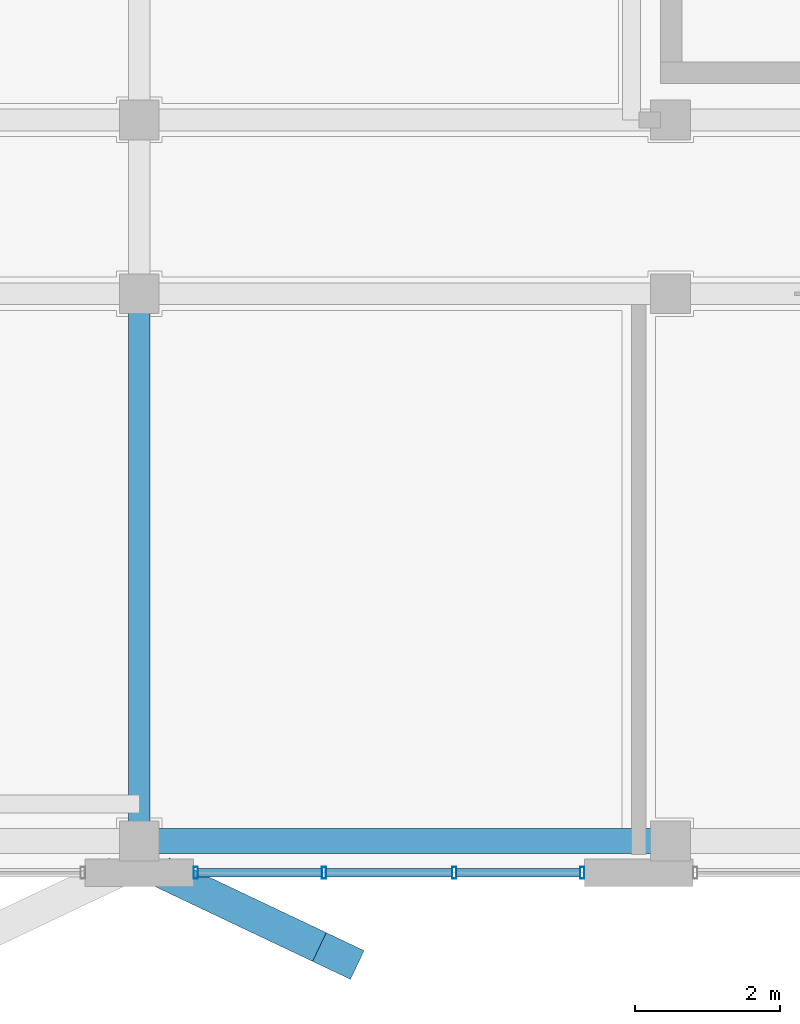
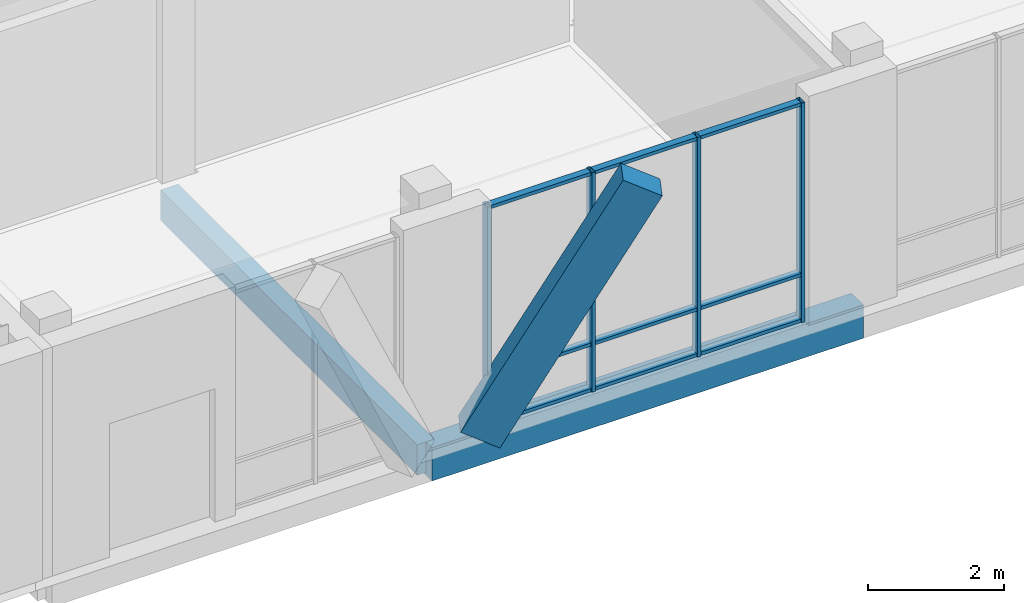
# One storey, part 73 of 233: 14 members, 2 beams, 1 element without a shape of its own.
"""IFC4 building model written with IfcOpenShell, lengths in metres."""

from ifc_helpers import new_model, si_unit, direction, frame, origin, origin_2d, place, context, subcontext, project, spatial, rectangle, hollow_rectangle, extrude, material, material_profile, profile_set, type_object, element, aggregate, save


model = new_model("IFC4")

# Units and contexts
model_context = context("Model", 3, precision=1e-05, world=origin(), true_north=direction((0.0, 1.0)))
body_context = subcontext(model_context, "Body", "Model", "MODEL_VIEW")
ifc_project = project(units=[si_unit("LENGTHUNIT", "METRE"), si_unit("AREAUNIT", "SQUARE_METRE"), si_unit("VOLUMEUNIT", "CUBIC_METRE"), si_unit("PLANEANGLEUNIT", "RADIAN"), si_unit("MASSUNIT", "GRAM", prefix="KILO")], contexts=[model_context])

# Site, building, storey
site_placement = place(None, origin())
site = spatial("IfcSite", under=ifc_project, at=site_placement, CompositionType="ELEMENT")
building_placement = place(site_placement, origin())
building = spatial("IfcBuilding", under=site, at=building_placement, Name="Zavelmont Quarter", CompositionType="ELEMENT")
storey_placement = place(building_placement, origin())
storey = spatial("IfcBuildingStorey", under=building, at=storey_placement, Name="L00", CompositionType="ELEMENT", Elevation=0.0)

# Beams
ifc_material_1 = material(Name="Concrete C35/45", Category="concrete")
ifc_material_profile_1 = material_profile(ifc_material_1, rectangle(XDim=0.35009765625, YDim=0.60009765625, at=origin_2d()), Name="RC350X600")
ifc_profile_set_1 = profile_set([ifc_material_profile_1], Name="Concrete C35/45")
beam_type_1 = type_object("IfcBeamType", Name="BM01", PredefinedType="SPANDREL", material=ifc_profile_set_1)
beam_1_placement = place(storey_placement, frame((119.699951171875, 0.43994140625, -0.6201171875), z_axis=(1.0, 0.0, 0.0), x_axis=(0.0, 1.0, 0.0)))
element("IfcBeam", 1, at=beam_1_placement, inside=storey, type_object=beam_type_1, Name="L00 beam BM01 18/A to 19/A", PredefinedType="SPANDREL", context=body_context, shape_type="SweptSolid", body=[
    extrude(rectangle(XDim=0.35009765625, YDim=0.60009765625, at=origin_2d()), origin(), (0.0, 0.0, 1.0), 7.340087890625),
])
ifc_material_profile_2 = material_profile(ifc_material_1, rectangle(XDim=0.300048828125, YDim=0.550048828125, at=origin_2d()), Name="RC300X550")
ifc_profile_set_2 = profile_set([ifc_material_profile_2], Name="Concrete C35/45")
beam_type_2 = type_object("IfcBeamType", Name="BM02", PredefinedType="SPANDREL", material=ifc_profile_set_2)
beam_2_placement = place(storey_placement, frame((119.699951171875, 0.43994140625, -0.594970703125), z_axis=(0.0, 1.0, 0.0), x_axis=(-1.0, 0.0, 0.0)))
element("IfcBeam", 2, at=beam_2_placement, inside=storey, type_object=beam_type_2, Name="L00 beam BM02 18/A to 18/B", PredefinedType="SPANDREL", context=body_context, shape_type="SweptSolid", body=[
    extrude(rectangle(XDim=0.300048828125, YDim=0.550048828125, at=origin_2d()), origin(), (0.0, 0.0, 1.0), 7.56005859375),
])

# Curtain wall, members
ifc_material_2 = material(Name="Thermally broken aluminium and double low-E safety glazing", Category="aluminium")
curtain_wall_type = type_object("IfcCurtainWallType", Name="CW-540X395", PredefinedType="NOTDEFINED", material=ifc_material_2)
curtain_wall_placement = place(storey_placement, origin())
curtain_wall = element("IfcCurtainWall", 3, at=curtain_wall_placement, inside=storey, type_object=curtain_wall_type, Name="L00 unitised curtain wall CW-540X395", PredefinedType="NOTDEFINED")
ifc_material_3 = material(Name="Powder-coated aluminium EN AW-6063-T6", Category="aluminium")
ifc_material_profile_3 = material_profile(ifc_material_3, hollow_rectangle(XDim=0.06005859375, YDim=0.159912109375, WallThickness=0.00390625, at=origin_2d()), Name="CWM60X160")
ifc_profile_set_3 = profile_set([ifc_material_profile_3], Name="Powder-coated aluminium EN AW-6063-T6")
member_type_1 = type_object("IfcMemberType", Name="CWM01", PredefinedType="MULLION", material=ifc_profile_set_3)
member_1_placement = place(storey_placement, frame((120.47998046875, 0.0, 0.0), z_axis=(0.0, 0.0, 1.0), x_axis=(1.0, 0.0, 0.0)))
member_1 = element("IfcMember", 4, at=member_1_placement, type_object=member_type_1, Name="CW-540X395 mullion 1", PredefinedType="MULLION", context=body_context, shape_type="SweptSolid", body=[
    extrude(hollow_rectangle(XDim=0.06005859375, YDim=0.159912109375, WallThickness=0.00390625, at=origin_2d()), origin(), (0.0, 0.0, 1.0), 3.949951171875),
])
member_2_placement = place(storey_placement, frame((122.25, 0.0, 0.0), z_axis=(0.0, 0.0, 1.0), x_axis=(1.0, 0.0, 0.0)))
member_2 = element("IfcMember", 5, at=member_2_placement, type_object=member_type_1, Name="CW-540X395 mullion 2", PredefinedType="MULLION", context=body_context, shape_type="SweptSolid", body=[
    extrude(hollow_rectangle(XDim=0.06005859375, YDim=0.159912109375, WallThickness=0.00390625, at=origin_2d()), origin(), (0.0, 0.0, 1.0), 3.949951171875),
])
member_3_placement = place(storey_placement, frame((124.050048828125, 0.0, 0.0), z_axis=(0.0, 0.0, 1.0), x_axis=(1.0, 0.0, 0.0)))
member_3 = element("IfcMember", 6, at=member_3_placement, type_object=member_type_1, Name="CW-540X395 mullion 3", PredefinedType="MULLION", context=body_context, shape_type="SweptSolid", body=[
    extrude(hollow_rectangle(XDim=0.06005859375, YDim=0.159912109375, WallThickness=0.00390625, at=origin_2d()), origin(), (0.0, 0.0, 1.0), 3.949951171875),
])
member_4_placement = place(storey_placement, frame((125.820068359375, 0.0, 0.0), z_axis=(0.0, 0.0, 1.0), x_axis=(1.0, 0.0, 0.0)))
member_4 = element("IfcMember", 7, at=member_4_placement, type_object=member_type_1, Name="CW-540X395 mullion 4", PredefinedType="MULLION", context=body_context, shape_type="SweptSolid", body=[
    extrude(hollow_rectangle(XDim=0.06005859375, YDim=0.159912109375, WallThickness=0.00390625, at=origin_2d()), origin(), (0.0, 0.0, 1.0), 3.949951171875),
])
ifc_material_profile_4 = material_profile(ifc_material_3, hollow_rectangle(XDim=0.1201171875, YDim=0.06005859375, WallThickness=0.00390625, at=origin_2d()), Name="CWT60X120")
ifc_profile_set_4 = profile_set([ifc_material_profile_4], Name="Powder-coated aluminium EN AW-6063-T6")
member_type_2 = type_object("IfcMemberType", Name="CWT01", PredefinedType="NOTDEFINED", material=ifc_profile_set_4)
member_5_placement = place(storey_placement, frame((120.510009765625, 0.0, 0.030029296875), z_axis=(1.0, 0.0, 0.0), x_axis=(0.0, 1.0, 0.0)))
member_5 = element("IfcMember", 8, at=member_5_placement, type_object=member_type_2, Name="CW-540X395 transom 1.1", ObjectType="TRANSOM", PredefinedType="USERDEFINED", context=body_context, shape_type="SweptSolid", body=[
    extrude(hollow_rectangle(XDim=0.1201171875, YDim=0.06005859375, WallThickness=0.00390625, at=origin_2d()), origin(), (0.0, 0.0, 1.0), 1.7099609375),
])
member_6_placement = place(storey_placement, frame((120.510009765625, 0.0, 0.85009765625), z_axis=(1.0, 0.0, 0.0), x_axis=(0.0, 1.0, 0.0)))
member_6 = element("IfcMember", 9, at=member_6_placement, type_object=member_type_2, Name="CW-540X395 transom 1.2", ObjectType="TRANSOM", PredefinedType="USERDEFINED", context=body_context, shape_type="SweptSolid", body=[
    extrude(hollow_rectangle(XDim=0.1201171875, YDim=0.06005859375, WallThickness=0.00390625, at=origin_2d()), origin(), (0.0, 0.0, 1.0), 1.7099609375),
])
member_7_placement = place(storey_placement, frame((120.510009765625, 0.0, 3.919921875), z_axis=(1.0, 0.0, 0.0), x_axis=(0.0, 1.0, 0.0)))
member_7 = element("IfcMember", 10, at=member_7_placement, type_object=member_type_2, Name="CW-540X395 transom 1.3", ObjectType="TRANSOM", PredefinedType="USERDEFINED", context=body_context, shape_type="SweptSolid", body=[
    extrude(hollow_rectangle(XDim=0.1201171875, YDim=0.06005859375, WallThickness=0.00390625, at=origin_2d()), origin(), (0.0, 0.0, 1.0), 1.7099609375),
])
member_8_placement = place(storey_placement, frame((122.280029296875, 0.0, 0.030029296875), z_axis=(1.0, 0.0, 0.0), x_axis=(0.0, 1.0, 0.0)))
member_8 = element("IfcMember", 11, at=member_8_placement, type_object=member_type_2, Name="CW-540X395 transom 2.1", ObjectType="TRANSOM", PredefinedType="USERDEFINED", context=body_context, shape_type="SweptSolid", body=[
    extrude(hollow_rectangle(XDim=0.1201171875, YDim=0.06005859375, WallThickness=0.00390625, at=origin_2d()), origin(), (0.0, 0.0, 1.0), 1.739990234375),
])
member_9_placement = place(storey_placement, frame((122.280029296875, 0.0, 0.85009765625), z_axis=(1.0, 0.0, 0.0), x_axis=(0.0, 1.0, 0.0)))
member_9 = element("IfcMember", 12, at=member_9_placement, type_object=member_type_2, Name="CW-540X395 transom 2.2", ObjectType="TRANSOM", PredefinedType="USERDEFINED", context=body_context, shape_type="SweptSolid", body=[
    extrude(hollow_rectangle(XDim=0.1201171875, YDim=0.06005859375, WallThickness=0.00390625, at=origin_2d()), origin(), (0.0, 0.0, 1.0), 1.739990234375),
])
member_10_placement = place(storey_placement, frame((122.280029296875, 0.0, 3.919921875), z_axis=(1.0, 0.0, 0.0), x_axis=(0.0, 1.0, 0.0)))
member_10 = element("IfcMember", 13, at=member_10_placement, type_object=member_type_2, Name="CW-540X395 transom 2.3", ObjectType="TRANSOM", PredefinedType="USERDEFINED", context=body_context, shape_type="SweptSolid", body=[
    extrude(hollow_rectangle(XDim=0.1201171875, YDim=0.06005859375, WallThickness=0.00390625, at=origin_2d()), origin(), (0.0, 0.0, 1.0), 1.739990234375),
])
member_11_placement = place(storey_placement, frame((124.080078125, 0.0, 0.030029296875), z_axis=(1.0, 0.0, 0.0), x_axis=(0.0, 1.0, 0.0)))
member_11 = element("IfcMember", 14, at=member_11_placement, type_object=member_type_2, Name="CW-540X395 transom 3.1", ObjectType="TRANSOM", PredefinedType="USERDEFINED", context=body_context, shape_type="SweptSolid", body=[
    extrude(hollow_rectangle(XDim=0.1201171875, YDim=0.06005859375, WallThickness=0.00390625, at=origin_2d()), origin(), (0.0, 0.0, 1.0), 1.7099609375),
])
member_12_placement = place(storey_placement, frame((124.080078125, 0.0, 0.85009765625), z_axis=(1.0, 0.0, 0.0), x_axis=(0.0, 1.0, 0.0)))
member_12 = element("IfcMember", 15, at=member_12_placement, type_object=member_type_2, Name="CW-540X395 transom 3.2", ObjectType="TRANSOM", PredefinedType="USERDEFINED", context=body_context, shape_type="SweptSolid", body=[
    extrude(hollow_rectangle(XDim=0.1201171875, YDim=0.06005859375, WallThickness=0.00390625, at=origin_2d()), origin(), (0.0, 0.0, 1.0), 1.7099609375),
])
member_13_placement = place(storey_placement, frame((124.080078125, 0.0, 3.919921875), z_axis=(1.0, 0.0, 0.0), x_axis=(0.0, 1.0, 0.0)))
member_13 = element("IfcMember", 16, at=member_13_placement, type_object=member_type_2, Name="CW-540X395 transom 3.3", ObjectType="TRANSOM", PredefinedType="USERDEFINED", context=body_context, shape_type="SweptSolid", body=[
    extrude(hollow_rectangle(XDim=0.1201171875, YDim=0.06005859375, WallThickness=0.00390625, at=origin_2d()), origin(), (0.0, 0.0, 1.0), 1.7099609375),
])
aggregate(curtain_wall, [member_1, member_2, member_3, member_4, member_5, member_6, member_7, member_8, member_9, member_10, member_11, member_12, member_13])

# Member
ifc_material_4 = material(Name="White architectural precast concrete C40/50", Category="concrete")
ifc_material_profile_5 = material_profile(ifc_material_4, rectangle(XDim=0.43994140625, YDim=0.659912109375, at=origin_2d()), Name="PCR320X480")
ifc_profile_set_5 = profile_set([ifc_material_profile_5], Name="White architectural precast concrete C40/50")
member_type_3 = type_object("IfcMemberType", Name="VR01M", PredefinedType="CHORD", material=ifc_profile_set_5)
member_14_placement = place(storey_placement, frame((120.280029296875, -0.1201171875, 0.0), z_axis=(0.432876253189, -0.205431147159, 0.877733554789), x_axis=(0.428741640077, 0.903427144857, 0.0)))
element("IfcMember", 17, at=member_14_placement, inside=storey, type_object=member_type_3, Name="L00 member VR01M 18/A to 18/A", PredefinedType="CHORD", context=body_context, shape_type="SweptSolid", body=[
    extrude(rectangle(XDim=0.43994140625, YDim=0.659912109375, at=origin_2d()), origin(), (0.0, 0.0, 1.0), 5.0126953125),
])

save(model, "model.ifc")
